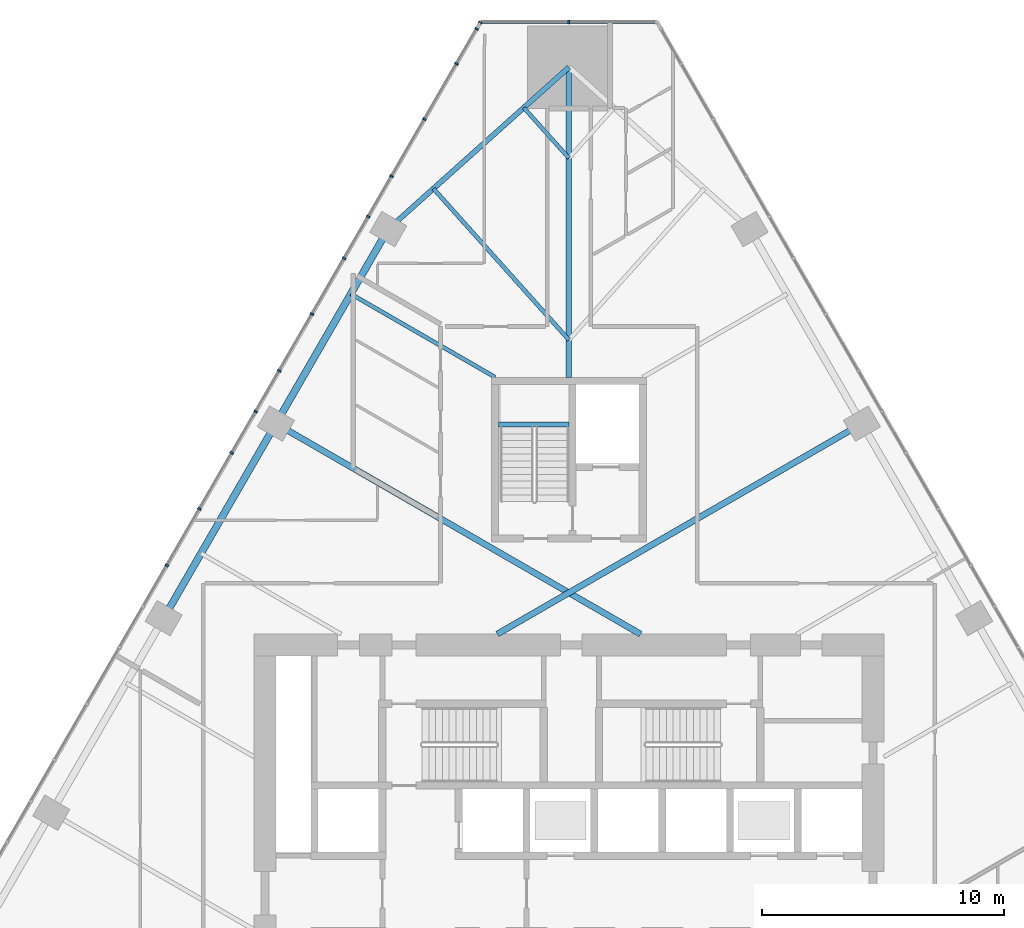
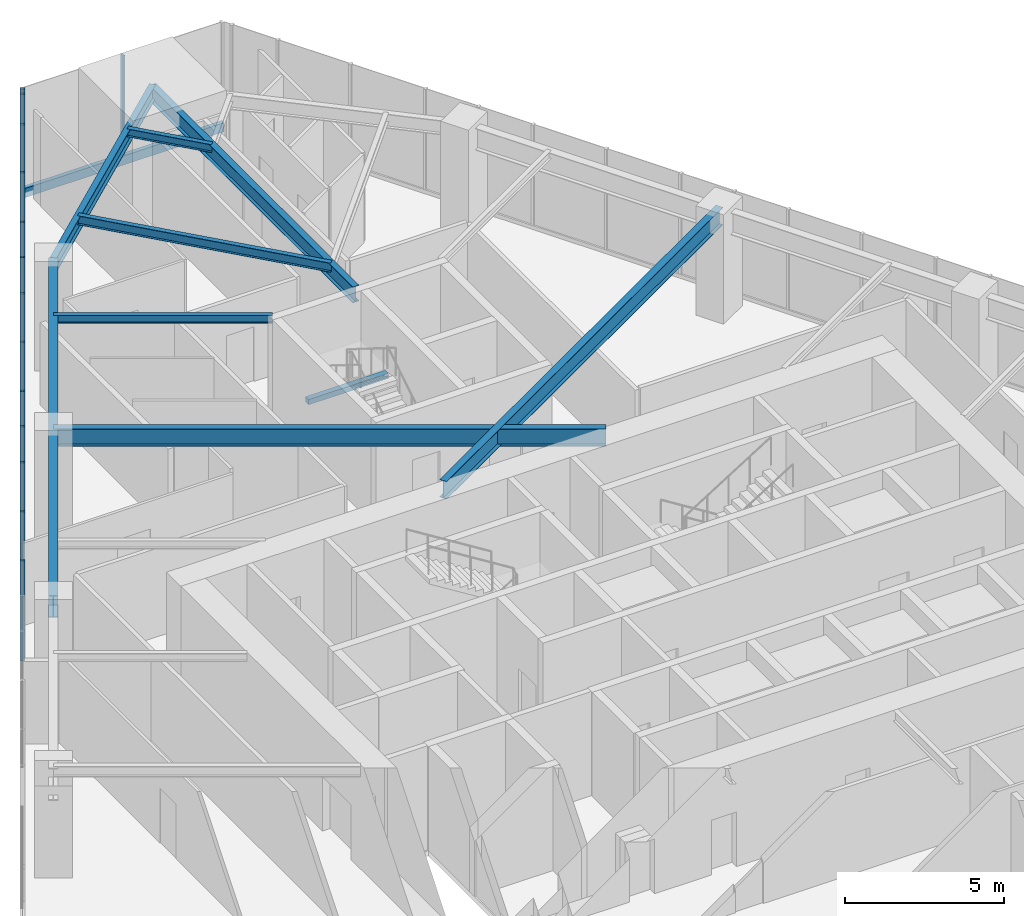
# One storey, part 9 of 22: 15 members, 9 beams, 2 elements without a shape of their own.
"""IFC4 building model written with IfcOpenShell, lengths in metres."""

from ifc_helpers import new_model, si_unit, direction, frame, origin, origin_2d, place, context, subcontext, project, spatial, rectangle, i_section, extrude, material, layer, layer_set, material_profile, profile_set, type_object, element, aggregate, save


model = new_model("IFC4")

# Units and contexts
model_context = context("Model", 3, precision=1e-05, world=origin(), true_north=direction((0.0, 1.0)))
body_context = subcontext(model_context, "Body", "Model", "MODEL_VIEW")
ifc_project = project(units=[si_unit("LENGTHUNIT", "METRE"), si_unit("AREAUNIT", "SQUARE_METRE"), si_unit("VOLUMEUNIT", "CUBIC_METRE"), si_unit("PLANEANGLEUNIT", "RADIAN"), si_unit("MASSUNIT", "GRAM", prefix="KILO")], contexts=[model_context])

# Site, building, storey
site_placement = place(None, origin())
site = spatial("IfcSite", under=ifc_project, at=site_placement, CompositionType="ELEMENT")
building_placement = place(site_placement, origin())
building = spatial("IfcBuilding", under=site, at=building_placement, Name="Firuza Gate Tower and Library", CompositionType="ELEMENT")
storey_placement = place(building_placement, frame((0.0, 0.0, 128.199951171875)))
storey = spatial("IfcBuildingStorey", under=building, at=storey_placement, Name="L29", CompositionType="ELEMENT", Elevation=128.199951171875)

# Curtain wall, member
ifc_material_1 = material(Name="Aluminium 6063-T6", Category="aluminium")
ifc_layer_1 = layer(ifc_material_1, 0.14990234375)
ifc_layer_set_1 = layer_set([ifc_layer_1], Name="Corner curtain wall, chamfers")
curtain_wall_type_1 = type_object("IfcCurtainWallType", Name="Corner curtain wall, chamfers", PredefinedType="NOTDEFINED", material=ifc_layer_set_1)
placement = place(storey_placement, origin())
curtain_wall_1 = element("IfcCurtainWall", 1, at=placement, inside=storey, type_object=curtain_wall_type_1, Name="CW4 L29 N corner", PredefinedType="NOTDEFINED")
ifc_material_2 = material(Name="Aluminium 6063-T6", Category="aluminium")
ifc_material_profile_1 = material_profile(ifc_material_2, rectangle(XDim=0.14990234375, YDim=0.080078125, at=origin_2d()))
ifc_profile_set_1 = profile_set([ifc_material_profile_1], Name="Aluminium 6063-T6")
member_type_1 = type_object("IfcMemberType", Name="Curtain wall mullion 80x150", PredefinedType="MULLION", material=ifc_profile_set_1)
member_1_placement = place(storey_placement, frame((75.0, 109.273681640625, 0.150146484375), z_axis=(0.0, 0.0, 1.0), x_axis=(0.0, -1.0, 0.0)))
member_1 = element("IfcMember", 2, at=member_1_placement, type_object=member_type_1, Name="Mullion", PredefinedType="MULLION", context=body_context, shape_type="SweptSolid", body=[
    extrude(rectangle(XDim=0.14990234375, YDim=0.080078125, at=origin_2d()), origin(), (0.0, 0.0, 1.0), 3.849853515625),
])

# Curtain wall, members
ifc_material_3 = material(Name="Aluminium 6063-T6", Category="aluminium")
ifc_layer_2 = layer(ifc_material_3, 0.14990234375)
ifc_layer_set_2 = layer_set([ifc_layer_2], Name="Unitised curtain wall, offices")
curtain_wall_type_2 = type_object("IfcCurtainWallType", Name="Unitised curtain wall, offices", PredefinedType="NOTDEFINED", material=ifc_layer_set_2)
curtain_wall_2 = element("IfcCurtainWall", 3, at=placement, inside=storey, type_object=curtain_wall_type_2, Name="CW1 L29 W face", PredefinedType="NOTDEFINED")
member_2_placement = place(storey_placement, frame((71.336669921875, 109.239013671875, 0.150146484375), z_axis=(0.0, 0.0, 1.0), x_axis=(0.866025403784, -0.5, 0.0)))
member_2 = element("IfcMember", 4, at=member_2_placement, type_object=member_type_1, Name="Mullion", PredefinedType="MULLION", context=body_context, shape_type="SweptSolid", body=[
    extrude(rectangle(XDim=0.14990234375, YDim=0.080078125, at=origin_2d()), origin(), (0.0, 0.0, 1.0), 3.849853515625),
])
member_3_placement = place(storey_placement, frame((69.034912109375, 105.25244140625, 0.150146484375), z_axis=(0.0, 0.0, 1.0), x_axis=(0.866025403784, -0.5, 0.0)))
member_3 = element("IfcMember", 5, at=member_3_placement, type_object=member_type_1, Name="Mullion", PredefinedType="MULLION", context=body_context, shape_type="SweptSolid", body=[
    extrude(rectangle(XDim=0.14990234375, YDim=0.080078125, at=origin_2d()), origin(), (0.0, 0.0, 1.0), 3.849853515625),
])
member_4_placement = place(storey_placement, frame((66.71337890625, 101.23095703125, 0.150146484375), z_axis=(0.0, 0.0, 1.0), x_axis=(0.866025403784, -0.5, 0.0)))
member_4 = element("IfcMember", 6, at=member_4_placement, type_object=member_type_1, Name="Mullion", PredefinedType="MULLION", context=body_context, shape_type="SweptSolid", body=[
    extrude(rectangle(XDim=0.14990234375, YDim=0.080078125, at=origin_2d()), origin(), (0.0, 0.0, 1.0), 3.849853515625),
])
member_5_placement = place(storey_placement, frame((64.3916015625, 97.209716796875, 0.150146484375), z_axis=(0.0, 0.0, 1.0), x_axis=(0.866025403784, -0.5, 0.0)))
member_5 = element("IfcMember", 7, at=member_5_placement, type_object=member_type_1, Name="Mullion", PredefinedType="MULLION", context=body_context, shape_type="SweptSolid", body=[
    extrude(rectangle(XDim=0.14990234375, YDim=0.080078125, at=origin_2d()), origin(), (0.0, 0.0, 1.0), 3.849853515625),
])
member_6_placement = place(storey_placement, frame((62.070068359375, 93.1884765625, 0.150146484375), z_axis=(0.0, 0.0, 1.0), x_axis=(0.866025403784, -0.5, 0.0)))
member_6 = element("IfcMember", 8, at=member_6_placement, type_object=member_type_1, Name="Mullion", PredefinedType="MULLION", context=body_context, shape_type="SweptSolid", body=[
    extrude(rectangle(XDim=0.14990234375, YDim=0.080078125, at=origin_2d()), origin(), (0.0, 0.0, 1.0), 3.849853515625),
])
member_7_placement = place(storey_placement, frame((59.748291015625, 89.167236328125, 0.150146484375), z_axis=(0.0, 0.0, 1.0), x_axis=(0.866025403784, -0.5, 0.0)))
member_7 = element("IfcMember", 9, at=member_7_placement, type_object=member_type_1, Name="Mullion", PredefinedType="MULLION", context=body_context, shape_type="SweptSolid", body=[
    extrude(rectangle(XDim=0.14990234375, YDim=0.080078125, at=origin_2d()), origin(), (0.0, 0.0, 1.0), 3.849853515625),
])
member_8_placement = place(storey_placement, frame((71.191162109375, 108.98681640625, 0.150146484375), z_axis=(0.0, 0.0, 1.0), x_axis=(0.866025403784, -0.5, 0.0)))
member_8 = element("IfcMember", 10, at=member_8_placement, type_object=member_type_1, Name="Mullion", PredefinedType="MULLION", context=body_context, shape_type="SweptSolid", body=[
    extrude(rectangle(XDim=0.14990234375, YDim=0.080078125, at=origin_2d()), origin(), (0.0, 0.0, 1.0), 3.849853515625),
])
member_9_placement = place(storey_placement, frame((70.35693359375, 107.5419921875, 0.150146484375), z_axis=(0.0, 0.0, 1.0), x_axis=(0.866025403784, -0.5, 0.0)))
member_9 = element("IfcMember", 11, at=member_9_placement, type_object=member_type_1, Name="Mullion", PredefinedType="MULLION", context=body_context, shape_type="SweptSolid", body=[
    extrude(rectangle(XDim=0.14990234375, YDim=0.080078125, at=origin_2d()), origin(), (0.0, 0.0, 1.0), 3.849853515625),
])
member_10_placement = place(storey_placement, frame((67.677001953125, 102.900146484375, 0.150146484375), z_axis=(0.0, 0.0, 1.0), x_axis=(0.866025403784, -0.5, 0.0)))
member_10 = element("IfcMember", 12, at=member_10_placement, type_object=member_type_1, Name="Mullion", PredefinedType="MULLION", context=body_context, shape_type="SweptSolid", body=[
    extrude(rectangle(XDim=0.14990234375, YDim=0.080078125, at=origin_2d()), origin(), (0.0, 0.0, 1.0), 3.849853515625),
])
member_11_placement = place(storey_placement, frame((65.720947265625, 99.511962890625, 0.150146484375), z_axis=(0.0, 0.0, 1.0), x_axis=(0.866025403784, -0.5, 0.0)))
member_11 = element("IfcMember", 13, at=member_11_placement, type_object=member_type_1, Name="Mullion", PredefinedType="MULLION", context=body_context, shape_type="SweptSolid", body=[
    extrude(rectangle(XDim=0.14990234375, YDim=0.080078125, at=origin_2d()), origin(), (0.0, 0.0, 1.0), 3.849853515625),
])
member_12_placement = place(storey_placement, frame((63.040771484375, 94.8701171875, 0.150146484375), z_axis=(0.0, 0.0, 1.0), x_axis=(0.866025403784, -0.5, 0.0)))
member_12 = element("IfcMember", 14, at=member_12_placement, type_object=member_type_1, Name="Mullion", PredefinedType="MULLION", context=body_context, shape_type="SweptSolid", body=[
    extrude(rectangle(XDim=0.14990234375, YDim=0.080078125, at=origin_2d()), origin(), (0.0, 0.0, 1.0), 3.849853515625),
])
member_13_placement = place(storey_placement, frame((61.084716796875, 91.48193359375, 0.150146484375), z_axis=(0.0, 0.0, 1.0), x_axis=(0.866025403784, -0.5, 0.0)))
member_13 = element("IfcMember", 15, at=member_13_placement, type_object=member_type_1, Name="Mullion", PredefinedType="MULLION", context=body_context, shape_type="SweptSolid", body=[
    extrude(rectangle(XDim=0.14990234375, YDim=0.080078125, at=origin_2d()), origin(), (0.0, 0.0, 1.0), 3.849853515625),
])
member_14_placement = place(storey_placement, frame((58.40478515625, 86.840087890625, 0.150146484375), z_axis=(0.0, 0.0, 1.0), x_axis=(0.866025403784, -0.5, 0.0)))
member_14 = element("IfcMember", 16, at=member_14_placement, type_object=member_type_1, Name="Mullion", PredefinedType="MULLION", context=body_context, shape_type="SweptSolid", body=[
    extrude(rectangle(XDim=0.14990234375, YDim=0.080078125, at=origin_2d()), origin(), (0.0, 0.0, 1.0), 3.849853515625),
])
aggregate(curtain_wall_2, [member_2, member_3, member_4, member_5, member_6, member_7, member_8, member_9, member_10, member_11, member_12, member_13, member_14])

# Member
ifc_material_4 = material(Name="Aluminium 6063-T6", Category="aluminium")
ifc_material_profile_2 = material_profile(ifc_material_4, rectangle(XDim=0.14990234375, YDim=0.35009765625, at=origin_2d()))
ifc_profile_set_2 = profile_set([ifc_material_profile_2], Name="Aluminium 6063-T6")
member_type_2 = type_object("IfcMemberType", Name="Curtain wall transom 350x150", PredefinedType="USERDEFINED", material=ifc_profile_set_2)
member_15_placement = place(storey_placement, frame((78.643310546875, 109.273681640625, -0.02490234375), z_axis=(-1.0, 0.0, 0.0), x_axis=(0.0, -1.0, 0.0)))
member_15 = element("IfcMember", 17, at=member_15_placement, type_object=member_type_2, Name="Transom", ObjectType="TRANSOM", PredefinedType="USERDEFINED", context=body_context, shape_type="SweptSolid", body=[
    extrude(rectangle(XDim=0.14990234375, YDim=0.35009765625, at=origin_2d()), origin(), (0.0, 0.0, 1.0), 7.28662109375),
])

aggregate(curtain_wall_1, [member_1, member_15])

# Beams
ifc_material_5 = material(Name="Concrete C35/45", Category="concrete")
ifc_material_profile_3 = material_profile(ifc_material_5, rectangle(XDim=0.199951171875, YDim=0.199951171875, at=origin_2d()))
ifc_profile_set_3 = profile_set([ifc_material_profile_3], Name="Concrete C35/45")
beam_type_1 = type_object("IfcBeamType", Name="Stair landing bearer 200x200", PredefinedType="BEAM", material=ifc_profile_set_3)
beam_1_placement = place(storey_placement, frame((75.0, 92.64990234375, 1.800048828125), z_axis=(-1.0, 0.0, 0.0), x_axis=(0.0, -1.0, 0.0)))
element("IfcBeam", 18, at=beam_1_placement, inside=storey, type_object=beam_type_1, Name="Landing bearer L29 stair 3", PredefinedType="BEAM", context=body_context, shape_type="SweptSolid", body=[
    extrude(rectangle(XDim=0.199951171875, YDim=0.199951171875, at=origin_2d()), origin(), (0.0, 0.0, 1.0), 2.89990234375),
])
ifc_material_6 = material(Name="Steel S355", Category="steel")
ifc_material_profile_4 = material_profile(ifc_material_6, i_section(OverallWidth=0.1650390625, OverallDepth=0.31005859375, WebThickness=0.005859375, FlangeThickness=0.009765625, at=origin_2d()))
ifc_profile_set_4 = profile_set([ifc_material_profile_4], Name="Steel S355")
beam_type_2 = type_object("IfcBeamType", Name="W310x39 Floor beam", PredefinedType="JOIST", material=ifc_profile_set_4)
beam_2_placement = place(storey_placement, frame((73.1357421875, 105.728515625, 3.844970703125), z_axis=(0.667287711118, -0.744800047389, 0.0), x_axis=(0.744800047389, 0.667287711118, 0.0)))
element("IfcBeam", 19, at=beam_2_placement, inside=storey, type_object=beam_type_2, Name="Floor beam L29 s70", PredefinedType="JOIST", context=body_context, shape_type="SweptSolid", body=[
    extrude(i_section(OverallWidth=0.1650390625, OverallDepth=0.31005859375, WebThickness=0.005859375, FlangeThickness=0.009765625, at=origin_2d()), origin(), (0.0, 0.0, 1.0), 2.793701171875),
])
beam_3_placement = place(storey_placement, frame((65.997802734375, 98.0419921875, 3.844970703125), z_axis=(0.866030259979, -0.49999158873, 0.0), x_axis=(0.49999158873, 0.866030259979, 0.0)))
element("IfcBeam", 20, at=beam_3_placement, inside=storey, type_object=beam_type_2, Name="Floor beam L29 s80", PredefinedType="JOIST", context=body_context, shape_type="SweptSolid", body=[
    extrude(i_section(OverallWidth=0.1650390625, OverallDepth=0.31005859375, WebThickness=0.005859375, FlangeThickness=0.009765625, at=origin_2d()), origin(), (0.0, 0.0, 1.0), 6.8837890625),
])
ifc_material_7 = material(Name="Steel S355", Category="steel")
ifc_material_profile_5 = material_profile(ifc_material_7, i_section(OverallWidth=0.1708984375, OverallDepth=0.35498046875, WebThickness=0.007080078125, FlangeThickness=0.01171875, at=origin_2d()))
ifc_profile_set_5 = profile_set([ifc_material_profile_5], Name="Steel S355")
beam_type_3 = type_object("IfcBeamType", Name="W360x51 Floor beam", PredefinedType="JOIST", material=ifc_profile_set_5)
beam_4_placement = place(storey_placement, frame((69.407470703125, 102.388671875, 3.822509765625), z_axis=(0.667242598302, -0.744840462792, 0.0), x_axis=(0.744840462792, 0.667242598302, 0.0)))
element("IfcBeam", 21, at=beam_4_placement, inside=storey, type_object=beam_type_3, Name="Floor beam L29 s71", PredefinedType="JOIST", context=body_context, shape_type="SweptSolid", body=[
    extrude(i_section(OverallWidth=0.1708984375, OverallDepth=0.35498046875, WebThickness=0.007080078125, FlangeThickness=0.01171875, at=origin_2d()), origin(), (0.0, 0.0, 1.0), 8.381591796875),
])
ifc_material_8 = material(Name="Steel S355", Category="steel")
ifc_material_profile_6 = material_profile(ifc_material_8, i_section(OverallWidth=0.212890625, OverallDepth=0.5390625, WebThickness=0.01171875, FlangeThickness=0.018798828125, at=origin_2d()))
ifc_profile_set_6 = profile_set([ifc_material_profile_6], Name="Steel S355")
beam_type_4 = type_object("IfcBeamType", Name="W530x109 Edge beam", PredefinedType="SPANDREL", material=ifc_profile_set_6)
beam_5_placement = place(storey_placement, frame((75.0, 107.398681640625, 3.73046875), z_axis=(-0.744828518345, -0.667255931603, 0.0), x_axis=(0.667255931603, -0.744828518345, 0.0)))
element("IfcBeam", 22, at=beam_5_placement, inside=storey, type_object=beam_type_4, Name="Edge beam L29 e70", PredefinedType="SPANDREL", context=body_context, shape_type="SweptSolid", body=[
    extrude(i_section(OverallWidth=0.212890625, OverallDepth=0.5390625, WebThickness=0.01171875, FlangeThickness=0.018798828125, at=origin_2d()), origin(), (0.0, 0.0, 1.0), 10.011474609375),
])
ifc_material_9 = material(Name="Steel S355", Category="steel")
ifc_material_profile_7 = material_profile(ifc_material_9, i_section(OverallWidth=0.22802734375, OverallDepth=0.60302734375, WebThickness=0.010498046875, FlangeThickness=0.014892578125, at=origin_2d()))
ifc_profile_set_7 = profile_set([ifc_material_profile_7], Name="Steel S355")
beam_type_5 = type_object("IfcBeamType", Name="W610x101 Girder", PredefinedType="BEAM", material=ifc_profile_set_7)
beam_6_placement = place(storey_placement, frame((75.0, 107.398681640625, 3.698486328125), z_axis=(0.0, -1.0, 0.0), x_axis=(1.0, 0.0, 0.0)))
element("IfcBeam", 23, at=beam_6_placement, inside=storey, type_object=beam_type_5, Name="Girder L29 gN", PredefinedType="BEAM", context=body_context, shape_type="SweptSolid", body=[
    extrude(i_section(OverallWidth=0.22802734375, OverallDepth=0.60302734375, WebThickness=0.010498046875, FlangeThickness=0.014892578125, at=origin_2d()), origin(), (0.0, 0.0, 1.0), 12.798583984375),
])
ifc_material_10 = material(Name="Steel S355", Category="steel")
ifc_material_profile_8 = material_profile(ifc_material_10, i_section(OverallWidth=0.2529296875, OverallDepth=0.677978515625, WebThickness=0.01171875, FlangeThickness=0.016357421875, at=origin_2d()))
ifc_profile_set_8 = profile_set([ifc_material_profile_8], Name="Steel S355")
beam_type_6 = type_object("IfcBeamType", Name="W690x125 Floor beam", PredefinedType="JOIST", material=ifc_profile_set_8)
for number, where, z_axis, x_axis, name in (
    (24, (87.0927734375, 92.6884765625, 3.6611328125), (-0.866024616508, -0.5000013636, 0.0), (0.5000013636, -0.866024616508, 0.0), "Floor beam L29 s54"),
    (25, (62.9072265625, 92.6884765625, 3.6611328125), (0.866024616508, -0.5000013636, 0.0), (0.5000013636, 0.866024616508, 0.0), "Floor beam L29 s81"),
):
    element("IfcBeam", number, at=place(storey_placement, frame(where, z_axis=z_axis, x_axis=x_axis)), inside=storey, type_object=beam_type_6, Name=name, PredefinedType="JOIST", context=body_context, shape_type="SweptSolid", body=[
        extrude(i_section(OverallWidth=0.2529296875, OverallDepth=0.677978515625, WebThickness=0.01171875, FlangeThickness=0.016357421875, at=origin_2d()), origin(), (0.0, 0.0, 1.0), 17.376953125),
    ])
ifc_material_11 = material(Name="Steel S355", Category="steel")
ifc_material_profile_9 = material_profile(ifc_material_11, i_section(OverallWidth=0.2919921875, OverallDepth=0.8349609375, WebThickness=0.013916015625, FlangeThickness=0.018798828125, at=origin_2d()))
ifc_profile_set_9 = profile_set([ifc_material_profile_9], Name="Steel S355")
beam_type_7 = type_object("IfcBeamType", Name="W840x176 Edge beam", PredefinedType="SPANDREL", material=ifc_profile_set_9)
beam_7_placement = place(storey_placement, frame((67.543212890625, 100.718505859375, 3.58251953125), z_axis=(-0.499997478145, -0.866026859773, 0.0), x_axis=(0.866026859773, -0.499997478145, 0.0)))
element("IfcBeam", 26, at=beam_7_placement, inside=storey, type_object=beam_type_7, Name="Edge beam L29 e80", PredefinedType="SPANDREL", context=body_context, shape_type="SweptSolid", body=[
    extrude(i_section(OverallWidth=0.2919921875, OverallDepth=0.8349609375, WebThickness=0.013916015625, FlangeThickness=0.018798828125, at=origin_2d()), origin(), (0.0, 0.0, 1.0), 18.54443359375),
])

save(model, "model.ifc")
